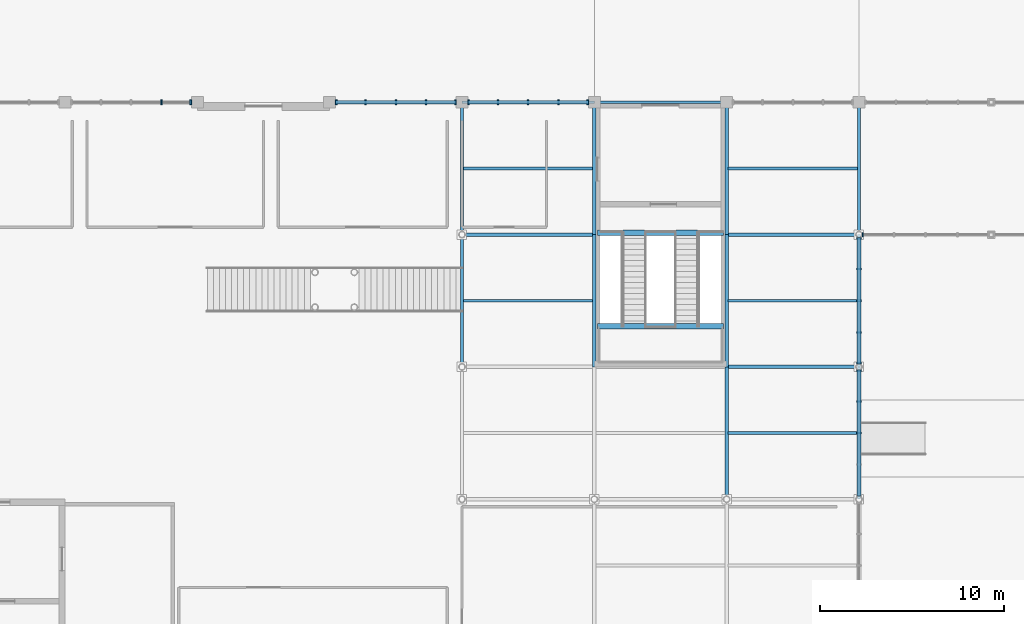
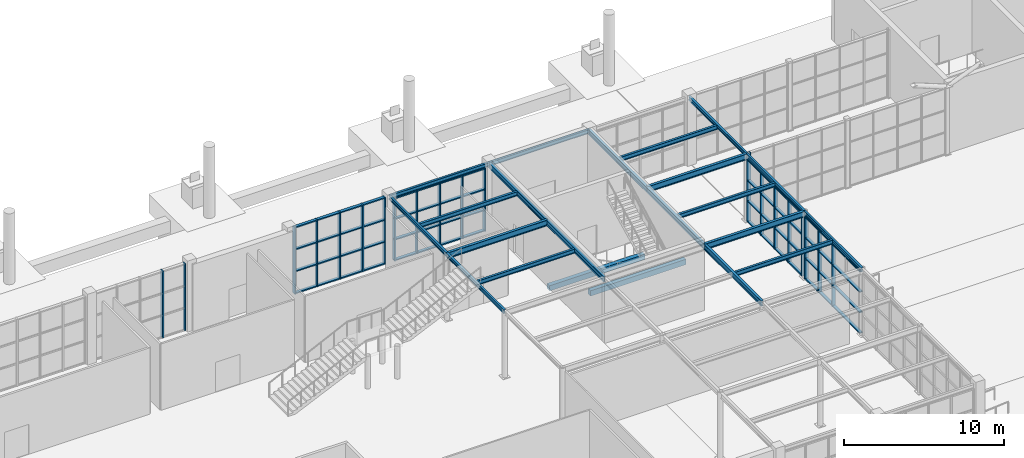
# One storey, part 26 of 75: 37 members, 22 beams, 6 elements without a shape of their own.
"""IFC4 building model written with IfcOpenShell, lengths in metres."""

from ifc_helpers import new_model, si_unit, direction, frame, origin, origin_2d, place, context, subcontext, project, spatial, rectangle, i_section, extrude, material, material_profile, profile_set, type_object, element, aggregate, save


model = new_model("IFC4")

# Units and contexts
model_context = context("Model", 3, precision=1e-05, world=origin(), true_north=direction((0.0, 1.0)))
body_context = subcontext(model_context, "Body", "Model", "MODEL_VIEW")
ifc_project = project(units=[si_unit("LENGTHUNIT", "METRE"), si_unit("AREAUNIT", "SQUARE_METRE"), si_unit("VOLUMEUNIT", "CUBIC_METRE"), si_unit("PLANEANGLEUNIT", "RADIAN"), si_unit("MASSUNIT", "GRAM", prefix="KILO")], contexts=[model_context])

# Site, building, storey
site_placement = place(None, origin())
site = spatial("IfcSite", under=ifc_project, at=site_placement, CompositionType="ELEMENT")
building_placement = place(site_placement, origin())
building = spatial("IfcBuilding", under=site, at=building_placement, Name="Leyfeld Transit Interchange", CompositionType="ELEMENT")
storey_placement = place(building_placement, origin())
storey = spatial("IfcBuildingStorey", under=building, at=storey_placement, Name="L00", CompositionType="ELEMENT", Elevation=0.0)

# Beams
ifc_material_1 = material(Name="Concrete C35/45", Category="concrete")
ifc_material_profile_1 = material_profile(ifc_material_1, rectangle(XDim=0.300048828125, YDim=0.39990234375, at=origin_2d()), Name="RC 400x300")
ifc_profile_set_1 = profile_set([ifc_material_profile_1], Name="Concrete C35/45")
beam_type_1 = type_object("IfcBeamType", Name="BM-RC-400x300", PredefinedType="LINTEL", material=ifc_profile_set_1)
for number, where, z_axis, x_axis, name in (
    (1, (86.56005859375, 43.300048828125, -0.199951171875), (1.0, 0.0, 0.0), (0.0, 1.0, 0.0), "Core K7 Floor Landing Corbel L00"),
    (2, (86.56005859375, 38.199951171875, 2.5), (1.0, 0.0, 0.0), (0.0, 1.0, 0.0), "Stair ST-07 L00 Half-Landing Corbel"),
):
    element("IfcBeam", number, at=place(storey_placement, frame(where, z_axis=z_axis, x_axis=x_axis)), inside=storey, type_object=beam_type_1, Name=name, PredefinedType="LINTEL", context=body_context, shape_type="SweptSolid", body=[
        extrude(rectangle(XDim=0.300048828125, YDim=0.39990234375, at=origin_2d()), origin(), (0.0, 0.0, 1.0), 6.8798828125),
    ])
ifc_material_2 = material(Name="Steel S355J2", Category="steel")
ifc_material_profile_2 = material_profile(ifc_material_2, i_section(OverallWidth=0.14990234375, OverallDepth=0.300048828125, WebThickness=0.007080078125, FlangeThickness=0.0107421875, FilletRadius=0.014892578125, at=origin_2d()), Name="IPE 300")
ifc_profile_set_2 = profile_set([ifc_material_profile_2], Name="Steel S355J2")
beam_type_2 = type_object("IfcBeamType", Name="BM-STL-IPE300", PredefinedType="SPANDREL", material=ifc_profile_set_2)
for number, where, z_axis, x_axis, name in (
    (3, (79.199951171875, 36.0, 4.949951171875), (0.0, 1.0, 0.0), (-1.0, 0.0, 0.0), "Beam BM-L00-0792_0360-0792_0432"),
    (4, (79.199951171875, 43.199951171875, 4.949951171875), (0.0, 1.0, 0.0), (-1.0, 0.0, 0.0), "Beam BM-L00-0792_0432-0792_0504"),
    (5, (100.800048828125, 28.800048828125, 4.949951171875), (0.0, 1.0, 0.0), (-1.0, 0.0, 0.0), "Beam BM-L00-1008_0288-1008_0360"),
    (6, (100.800048828125, 36.0, 4.949951171875), (0.0, 1.0, 0.0), (-1.0, 0.0, 0.0), "Beam BM-L00-1008_0360-1008_0432"),
    (7, (100.800048828125, 43.199951171875, 4.949951171875), (0.0, 1.0, 0.0), (-1.0, 0.0, 0.0), "Beam BM-L00-1008_0432-1008_0504"),
    (8, (79.199951171875, 50.39990234375, 4.949951171875), (1.0, 0.0, 0.0), (0.0, 1.0, 0.0), "Beam BM-L00-0792_0504-0864_0504"),
):
    element("IfcBeam", number, at=place(storey_placement, frame(where, z_axis=z_axis, x_axis=x_axis)), inside=storey, type_object=beam_type_2, Name=name, PredefinedType="SPANDREL", context=body_context, shape_type="SweptSolid", body=[
        extrude(i_section(OverallWidth=0.14990234375, OverallDepth=0.300048828125, WebThickness=0.007080078125, FlangeThickness=0.0107421875, FilletRadius=0.014892578125, at=origin_2d()), origin(), (0.0, 0.0, 1.0), 7.199951171875),
    ])
beam_placement = place(storey_placement, frame((86.39990234375, 50.39990234375, 4.949951171875), z_axis=(1.0, 0.0, 0.0), x_axis=(0.0, 1.0, 0.0)))
element("IfcBeam", 9, at=beam_placement, inside=storey, type_object=beam_type_2, Name="Beam BM-L00-0864_0504-0936_0504", PredefinedType="SPANDREL", context=body_context, shape_type="SweptSolid", body=[
    extrude(i_section(OverallWidth=0.14990234375, OverallDepth=0.300048828125, WebThickness=0.007080078125, FlangeThickness=0.0107421875, FilletRadius=0.014892578125, at=origin_2d()), origin(), (0.0, 0.0, 1.0), 7.2001953125),
])
ifc_material_profile_3 = material_profile(ifc_material_2, i_section(OverallWidth=0.159912109375, OverallDepth=0.330078125, WebThickness=0.007568359375, FlangeThickness=0.011474609375, FilletRadius=0.01806640625, at=origin_2d()), Name="IPE 330")
ifc_profile_set_3 = profile_set([ifc_material_profile_3], Name="Steel S355J2")
beam_type_3 = type_object("IfcBeamType", Name="BM-STL-IPE330", PredefinedType="BEAM", material=ifc_profile_set_3)
for number, where, z_axis, x_axis, name in (
    (10, (93.68701171875, 32.39990234375, 4.93505859375), (1.0, 0.0, 0.0), (0.0, 1.0, 0.0), "Beam BM-L00-0937_0324-1007_0324"),
    (11, (79.27197265625, 39.60009765625, 4.93505859375), (1.0, 0.0, 0.0), (0.0, 1.0, 0.0), "Beam BM-L00-0793_0396-0863_0396"),
    (12, (93.68701171875, 39.60009765625, 4.93505859375), (1.0, 0.0, 0.0), (0.0, 1.0, 0.0), "Beam BM-L00-0937_0396-1007_0396"),
    (13, (79.27197265625, 46.800048828125, 4.93505859375), (1.0, 0.0, 0.0), (0.0, 1.0, 0.0), "Beam BM-L00-0793_0468-0863_0468"),
    (14, (93.68701171875, 46.800048828125, 4.93505859375), (1.0, 0.0, 0.0), (0.0, 1.0, 0.0), "Beam BM-L00-0937_0468-1007_0468"),
):
    element("IfcBeam", number, at=place(storey_placement, frame(where, z_axis=z_axis, x_axis=x_axis)), inside=storey, type_object=beam_type_3, Name=name, PredefinedType="BEAM", context=body_context, shape_type="SweptSolid", body=[
        extrude(i_section(OverallWidth=0.159912109375, OverallDepth=0.330078125, WebThickness=0.007568359375, FlangeThickness=0.011474609375, FilletRadius=0.01806640625, at=origin_2d()), origin(), (0.0, 0.0, 1.0), 7.041015625),
    ])
ifc_material_profile_4 = material_profile(ifc_material_2, i_section(OverallWidth=0.179931640625, OverallDepth=0.39990234375, WebThickness=0.008544921875, FlangeThickness=0.013427734375, FilletRadius=0.02099609375, at=origin_2d()), Name="IPE 400")
ifc_profile_set_4 = profile_set([ifc_material_profile_4], Name="Steel S355J2")
beam_type_4 = type_object("IfcBeamType", Name="BM-STL-IPE400", PredefinedType="BEAM", material=ifc_profile_set_4)
for number, where, z_axis, x_axis, name in (
    (15, (86.39990234375, 36.0, 4.89990234375), (0.0, 1.0, 0.0), (-1.0, 0.0, 0.0), "Beam BM-L00-0864_0360-0864_0432"),
    (16, (86.39990234375, 43.199951171875, 4.89990234375), (0.0, 1.0, 0.0), (-1.0, 0.0, 0.0), "Beam BM-L00-0864_0432-0864_0504"),
    (17, (93.60009765625, 28.800048828125, 4.89990234375), (0.0, 1.0, 0.0), (-1.0, 0.0, 0.0), "Beam BM-L00-0936_0288-0936_0360"),
    (18, (93.60009765625, 36.0, 4.89990234375), (0.0, 1.0, 0.0), (-1.0, 0.0, 0.0), "Beam BM-L00-0936_0360-0936_0432"),
    (19, (93.60009765625, 43.199951171875, 4.89990234375), (0.0, 1.0, 0.0), (-1.0, 0.0, 0.0), "Beam BM-L00-0936_0432-0936_0504"),
):
    element("IfcBeam", number, at=place(storey_placement, frame(where, z_axis=z_axis, x_axis=x_axis)), inside=storey, type_object=beam_type_4, Name=name, PredefinedType="BEAM", context=body_context, shape_type="SweptSolid", body=[
        extrude(i_section(OverallWidth=0.179931640625, OverallDepth=0.39990234375, WebThickness=0.008544921875, FlangeThickness=0.013427734375, FilletRadius=0.02099609375, at=origin_2d()), origin(), (0.0, 0.0, 1.0), 7.199951171875),
    ])
ifc_material_profile_5 = material_profile(ifc_material_2, i_section(OverallWidth=0.18994140625, OverallDepth=0.449951171875, WebThickness=0.009521484375, FlangeThickness=0.0146484375, FilletRadius=0.02099609375, at=origin_2d()), Name="IPE 450")
ifc_profile_set_5 = profile_set([ifc_material_profile_5], Name="Steel S355J2")
beam_type_5 = type_object("IfcBeamType", Name="BM-STL-IPE450", PredefinedType="BEAM", material=ifc_profile_set_5)
for number, where, z_axis, x_axis, name in (
    (20, (93.60009765625, 36.0, 4.875), (1.0, 0.0, 0.0), (0.0, 1.0, 0.0), "Beam BM-L00-0936_0360-1008_0360"),
    (21, (79.199951171875, 43.199951171875, 4.875), (1.0, 0.0, 0.0), (0.0, 1.0, 0.0), "Beam BM-L00-0792_0432-0864_0432"),
    (22, (93.60009765625, 43.199951171875, 4.875), (1.0, 0.0, 0.0), (0.0, 1.0, 0.0), "Beam BM-L00-0936_0432-1008_0432"),
):
    element("IfcBeam", number, at=place(storey_placement, frame(where, z_axis=z_axis, x_axis=x_axis)), inside=storey, type_object=beam_type_5, Name=name, PredefinedType="BEAM", context=body_context, shape_type="SweptSolid", body=[
        extrude(i_section(OverallWidth=0.18994140625, OverallDepth=0.449951171875, WebThickness=0.009521484375, FlangeThickness=0.0146484375, FilletRadius=0.02099609375, at=origin_2d()), origin(), (0.0, 0.0, 1.0), 7.199951171875),
    ])

# Curtain wall, member
ifc_material_3 = material(Name="Anodised aluminium EN AW-6060 T66", Category="aluminium")
curtain_wall_type_1 = type_object("IfcCurtainWallType", Name="CW-SYS-PAS-7200", PredefinedType="NOTDEFINED", material=ifc_material_3)
curtain_wall_1_placement = place(storey_placement, origin())
curtain_wall_1 = element("IfcCurtainWall", 23, at=curtain_wall_1_placement, inside=storey, type_object=curtain_wall_type_1, Name="Curtain Wall CW-L00-027", PredefinedType="NOTDEFINED")
ifc_material_profile_6 = material_profile(ifc_material_3, rectangle(XDim=0.074951171875, YDim=0.219970703125, at=origin_2d()), Name="CW-M 75x220")
ifc_profile_set_6 = profile_set([ifc_material_profile_6], Name="Anodised aluminium EN AW-6060 T66")
member_type_1 = type_object("IfcMemberType", Name="CW-MUL-180x70", PredefinedType="MULLION", material=ifc_profile_set_6)
member_1_placement = place(storey_placement, frame((101.00537109375, 43.199951171875, 0.0), z_axis=(0.0, 0.0, 1.0), x_axis=(-1.0, 0.0, 0.0)))
member_1 = element("IfcMember", 24, at=member_1_placement, type_object=member_type_1, Name="Curtain Mullion CW-L00-027-M05", PredefinedType="MULLION", context=body_context, shape_type="SweptSolid", body=[
    extrude(rectangle(XDim=0.074951171875, YDim=0.219970703125, at=origin_2d()), origin(), (0.0, 0.0, 1.0), 5.10009765625),
])
aggregate(curtain_wall_1, [member_1])

# Curtain wall, members
curtain_wall_type_2 = type_object("IfcCurtainWallType", Name="CW-SYS-ARC-7200", PredefinedType="NOTDEFINED", material=ifc_material_3)
curtain_wall_2_placement = place(storey_placement, origin())
curtain_wall_2 = element("IfcCurtainWall", 25, at=curtain_wall_2_placement, inside=storey, type_object=curtain_wall_type_2, Name="Curtain Wall CW-L00-016", PredefinedType="NOTDEFINED")
ifc_material_profile_7 = material_profile(ifc_material_3, rectangle(XDim=0.0849609375, YDim=0.260009765625, at=origin_2d()), Name="CW-M 85x260")
ifc_profile_set_7 = profile_set([ifc_material_profile_7], Name="Anodised aluminium EN AW-6060 T66")
member_type_2 = type_object("IfcMemberType", Name="CW-MUL-220x80", PredefinedType="MULLION", material=ifc_profile_set_7)
member_2_placement = place(storey_placement, frame((62.842529296875, 50.39990234375, 0.0), z_axis=(0.0, 0.0, 1.0), x_axis=(1.0, 0.0, 0.0)))
member_2 = element("IfcMember", 26, at=member_2_placement, type_object=member_type_2, Name="Curtain Mullion CW-L00-016-M04", PredefinedType="MULLION", context=body_context, shape_type="SweptSolid", body=[
    extrude(rectangle(XDim=0.0849609375, YDim=0.260009765625, at=origin_2d()), origin(), (0.0, 0.0, 1.0), 5.10009765625),
])
member_3_placement = place(storey_placement, frame((64.4423828125, 50.39990234375, 0.0), z_axis=(0.0, 0.0, 1.0), x_axis=(1.0, 0.0, 0.0)))
member_3 = element("IfcMember", 27, at=member_3_placement, type_object=member_type_2, Name="Curtain Mullion CW-L00-016-M05", PredefinedType="MULLION", context=body_context, shape_type="SweptSolid", body=[
    extrude(rectangle(XDim=0.0849609375, YDim=0.260009765625, at=origin_2d()), origin(), (0.0, 0.0, 1.0), 5.10009765625),
])
aggregate(curtain_wall_2, [member_2, member_3])

curtain_wall_3_placement = place(storey_placement, origin())
curtain_wall_3 = element("IfcCurtainWall", 28, at=curtain_wall_3_placement, inside=storey, type_object=curtain_wall_type_2, Name="Curtain Wall CW-L00-017", PredefinedType="NOTDEFINED")
member_4_placement = place(storey_placement, frame((72.357421875, 50.39990234375, 0.0), z_axis=(0.0, 0.0, 1.0), x_axis=(1.0, 0.0, 0.0)))
member_4 = element("IfcMember", 29, at=member_4_placement, type_object=member_type_2, Name="Curtain Mullion CW-L00-017-M01", PredefinedType="MULLION", context=body_context, shape_type="SweptSolid", body=[
    extrude(rectangle(XDim=0.0849609375, YDim=0.260009765625, at=origin_2d()), origin(), (0.0, 0.0, 1.0), 5.10009765625),
])
member_5_placement = place(storey_placement, frame((73.95751953125, 50.39990234375, 0.0), z_axis=(0.0, 0.0, 1.0), x_axis=(1.0, 0.0, 0.0)))
member_5 = element("IfcMember", 30, at=member_5_placement, type_object=member_type_2, Name="Curtain Mullion CW-L00-017-M02", PredefinedType="MULLION", context=body_context, shape_type="SweptSolid", body=[
    extrude(rectangle(XDim=0.0849609375, YDim=0.260009765625, at=origin_2d()), origin(), (0.0, 0.0, 1.0), 5.10009765625),
])
member_6_placement = place(storey_placement, frame((75.60009765625, 50.39990234375, 0.0), z_axis=(0.0, 0.0, 1.0), x_axis=(1.0, 0.0, 0.0)))
member_6 = element("IfcMember", 31, at=member_6_placement, type_object=member_type_2, Name="Curtain Mullion CW-L00-017-M03", PredefinedType="MULLION", context=body_context, shape_type="SweptSolid", body=[
    extrude(rectangle(XDim=0.0849609375, YDim=0.260009765625, at=origin_2d()), origin(), (0.0, 0.0, 1.0), 5.10009765625),
])
member_7_placement = place(storey_placement, frame((77.242431640625, 50.39990234375, 0.0), z_axis=(0.0, 0.0, 1.0), x_axis=(1.0, 0.0, 0.0)))
member_7 = element("IfcMember", 32, at=member_7_placement, type_object=member_type_2, Name="Curtain Mullion CW-L00-017-M04", PredefinedType="MULLION", context=body_context, shape_type="SweptSolid", body=[
    extrude(rectangle(XDim=0.0849609375, YDim=0.260009765625, at=origin_2d()), origin(), (0.0, 0.0, 1.0), 5.10009765625),
])
member_8_placement = place(storey_placement, frame((78.842529296875, 50.39990234375, 0.0), z_axis=(0.0, 0.0, 1.0), x_axis=(1.0, 0.0, 0.0)))
member_8 = element("IfcMember", 33, at=member_8_placement, type_object=member_type_2, Name="Curtain Mullion CW-L00-017-M05", PredefinedType="MULLION", context=body_context, shape_type="SweptSolid", body=[
    extrude(rectangle(XDim=0.0849609375, YDim=0.260009765625, at=origin_2d()), origin(), (0.0, 0.0, 1.0), 5.10009765625),
])

curtain_wall_4_placement = place(storey_placement, origin())
curtain_wall_4 = element("IfcCurtainWall", 34, at=curtain_wall_4_placement, inside=storey, type_object=curtain_wall_type_2, Name="Curtain Wall CW-L00-018", PredefinedType="NOTDEFINED")
member_9_placement = place(storey_placement, frame((79.5576171875, 50.39990234375, 0.0), z_axis=(0.0, 0.0, 1.0), x_axis=(1.0, 0.0, 0.0)))
member_9 = element("IfcMember", 35, at=member_9_placement, type_object=member_type_2, Name="Curtain Mullion CW-L00-018-M01", PredefinedType="MULLION", context=body_context, shape_type="SweptSolid", body=[
    extrude(rectangle(XDim=0.0849609375, YDim=0.260009765625, at=origin_2d()), origin(), (0.0, 0.0, 1.0), 4.800048828125),
])
member_10_placement = place(storey_placement, frame((81.157470703125, 50.39990234375, 0.0), z_axis=(0.0, 0.0, 1.0), x_axis=(1.0, 0.0, 0.0)))
member_10 = element("IfcMember", 36, at=member_10_placement, type_object=member_type_2, Name="Curtain Mullion CW-L00-018-M02", PredefinedType="MULLION", context=body_context, shape_type="SweptSolid", body=[
    extrude(rectangle(XDim=0.0849609375, YDim=0.260009765625, at=origin_2d()), origin(), (0.0, 0.0, 1.0), 4.800048828125),
])
member_11_placement = place(storey_placement, frame((82.800048828125, 50.39990234375, 0.0), z_axis=(0.0, 0.0, 1.0), x_axis=(1.0, 0.0, 0.0)))
member_11 = element("IfcMember", 37, at=member_11_placement, type_object=member_type_2, Name="Curtain Mullion CW-L00-018-M03", PredefinedType="MULLION", context=body_context, shape_type="SweptSolid", body=[
    extrude(rectangle(XDim=0.0849609375, YDim=0.260009765625, at=origin_2d()), origin(), (0.0, 0.0, 1.0), 4.800048828125),
])
member_12_placement = place(storey_placement, frame((84.4423828125, 50.39990234375, 0.0), z_axis=(0.0, 0.0, 1.0), x_axis=(1.0, 0.0, 0.0)))
member_12 = element("IfcMember", 38, at=member_12_placement, type_object=member_type_2, Name="Curtain Mullion CW-L00-018-M04", PredefinedType="MULLION", context=body_context, shape_type="SweptSolid", body=[
    extrude(rectangle(XDim=0.0849609375, YDim=0.260009765625, at=origin_2d()), origin(), (0.0, 0.0, 1.0), 4.800048828125),
])
member_13_placement = place(storey_placement, frame((86.04248046875, 50.39990234375, 0.0), z_axis=(0.0, 0.0, 1.0), x_axis=(1.0, 0.0, 0.0)))
member_13 = element("IfcMember", 39, at=member_13_placement, type_object=member_type_2, Name="Curtain Mullion CW-L00-018-M05", PredefinedType="MULLION", context=body_context, shape_type="SweptSolid", body=[
    extrude(rectangle(XDim=0.0849609375, YDim=0.260009765625, at=origin_2d()), origin(), (0.0, 0.0, 1.0), 4.800048828125),
])

curtain_wall_5_placement = place(storey_placement, origin())
curtain_wall_5 = element("IfcCurtainWall", 40, at=curtain_wall_5_placement, inside=storey, type_object=curtain_wall_type_2, Name="Curtain Wall CW-L00-028", PredefinedType="NOTDEFINED")
member_14_placement = place(storey_placement, frame((100.800048828125, 42.98974609375, 0.0), z_axis=(0.0, 0.0, 1.0), x_axis=(0.0, -1.0, 0.0)))
member_14 = element("IfcMember", 41, at=member_14_placement, type_object=member_type_2, Name="Curtain Mullion CW-L00-028-M01", PredefinedType="MULLION", context=body_context, shape_type="SweptSolid", body=[
    extrude(rectangle(XDim=0.0849609375, YDim=0.260009765625, at=origin_2d()), origin(), (0.0, 0.0, 1.0), 4.77001953125),
])
member_15_placement = place(storey_placement, frame((100.800048828125, 41.316162109375, 0.0), z_axis=(0.0, 0.0, 1.0), x_axis=(0.0, -1.0, 0.0)))
member_15 = element("IfcMember", 42, at=member_15_placement, type_object=member_type_2, Name="Curtain Mullion CW-L00-028-M02", PredefinedType="MULLION", context=body_context, shape_type="SweptSolid", body=[
    extrude(rectangle(XDim=0.0849609375, YDim=0.260009765625, at=origin_2d()), origin(), (0.0, 0.0, 1.0), 4.77001953125),
])
member_16_placement = place(storey_placement, frame((100.800048828125, 39.60009765625, 0.0), z_axis=(0.0, 0.0, 1.0), x_axis=(0.0, -1.0, 0.0)))
member_16 = element("IfcMember", 43, at=member_16_placement, type_object=member_type_2, Name="Curtain Mullion CW-L00-028-M03", PredefinedType="MULLION", context=body_context, shape_type="SweptSolid", body=[
    extrude(rectangle(XDim=0.0849609375, YDim=0.260009765625, at=origin_2d()), origin(), (0.0, 0.0, 1.0), 4.77001953125),
])
member_17_placement = place(storey_placement, frame((100.800048828125, 37.8837890625, 0.0), z_axis=(0.0, 0.0, 1.0), x_axis=(0.0, -1.0, 0.0)))
member_17 = element("IfcMember", 44, at=member_17_placement, type_object=member_type_2, Name="Curtain Mullion CW-L00-028-M04", PredefinedType="MULLION", context=body_context, shape_type="SweptSolid", body=[
    extrude(rectangle(XDim=0.0849609375, YDim=0.260009765625, at=origin_2d()), origin(), (0.0, 0.0, 1.0), 4.77001953125),
])
member_18_placement = place(storey_placement, frame((100.800048828125, 36.210205078125, 0.0), z_axis=(0.0, 0.0, 1.0), x_axis=(0.0, -1.0, 0.0)))
member_18 = element("IfcMember", 45, at=member_18_placement, type_object=member_type_2, Name="Curtain Mullion CW-L00-028-M05", PredefinedType="MULLION", context=body_context, shape_type="SweptSolid", body=[
    extrude(rectangle(XDim=0.0849609375, YDim=0.260009765625, at=origin_2d()), origin(), (0.0, 0.0, 1.0), 4.77001953125),
])

curtain_wall_6_placement = place(storey_placement, origin())
curtain_wall_6 = element("IfcCurtainWall", 46, at=curtain_wall_6_placement, inside=storey, type_object=curtain_wall_type_2, Name="Curtain Wall CW-L00-029", PredefinedType="NOTDEFINED")
member_19_placement = place(storey_placement, frame((100.800048828125, 35.789794921875, 0.0), z_axis=(0.0, 0.0, 1.0), x_axis=(0.0, -1.0, 0.0)))
member_19 = element("IfcMember", 47, at=member_19_placement, type_object=member_type_2, Name="Curtain Mullion CW-L00-029-M01", PredefinedType="MULLION", context=body_context, shape_type="SweptSolid", body=[
    extrude(rectangle(XDim=0.0849609375, YDim=0.260009765625, at=origin_2d()), origin(), (0.0, 0.0, 1.0), 4.77001953125),
])
member_20_placement = place(storey_placement, frame((100.800048828125, 34.1162109375, 0.0), z_axis=(0.0, 0.0, 1.0), x_axis=(0.0, -1.0, 0.0)))
member_20 = element("IfcMember", 48, at=member_20_placement, type_object=member_type_2, Name="Curtain Mullion CW-L00-029-M02", PredefinedType="MULLION", context=body_context, shape_type="SweptSolid", body=[
    extrude(rectangle(XDim=0.0849609375, YDim=0.260009765625, at=origin_2d()), origin(), (0.0, 0.0, 1.0), 4.77001953125),
])
member_21_placement = place(storey_placement, frame((100.800048828125, 32.39990234375, 0.0), z_axis=(0.0, 0.0, 1.0), x_axis=(0.0, -1.0, 0.0)))
member_21 = element("IfcMember", 49, at=member_21_placement, type_object=member_type_2, Name="Curtain Mullion CW-L00-029-M03", PredefinedType="MULLION", context=body_context, shape_type="SweptSolid", body=[
    extrude(rectangle(XDim=0.0849609375, YDim=0.260009765625, at=origin_2d()), origin(), (0.0, 0.0, 1.0), 4.77001953125),
])

# Member
ifc_material_profile_8 = material_profile(ifc_material_3, rectangle(XDim=0.2099609375, YDim=0.0849609375, at=origin_2d()), Name="CW-TRN-200x80")
ifc_profile_set_8 = profile_set([ifc_material_profile_8], Name="Anodised aluminium EN AW-6060 T66")
member_type_3 = type_object("IfcMemberType", Name="CW-TRN-200x80", PredefinedType="USERDEFINED", material=ifc_profile_set_8)
member_22_placement = place(storey_placement, frame((72.31494140625, 50.39990234375, 0.04248046875), z_axis=(1.0, 0.0, 0.0), x_axis=(0.0, 1.0, 0.0)))
member_22 = element("IfcMember", 50, at=member_22_placement, type_object=member_type_3, Name="Curtain Transom CW-L00-017-T01", ObjectType="TRANSOM", PredefinedType="USERDEFINED", context=body_context, shape_type="SweptSolid", body=[
    extrude(rectangle(XDim=0.2099609375, YDim=0.0849609375, at=origin_2d()), origin(), (0.0, 0.0, 1.0), 6.570068359375),
])

member_23_placement = place(storey_placement, frame((72.31494140625, 50.39990234375, 1.714111328125), z_axis=(1.0, 0.0, 0.0), x_axis=(0.0, 1.0, 0.0)))
member_23 = element("IfcMember", 51, at=member_23_placement, type_object=member_type_3, Name="Curtain Transom CW-L00-017-T02", ObjectType="TRANSOM", PredefinedType="USERDEFINED", context=body_context, shape_type="SweptSolid", body=[
    extrude(rectangle(XDim=0.2099609375, YDim=0.0849609375, at=origin_2d()), origin(), (0.0, 0.0, 1.0), 6.570068359375),
])

member_24_placement = place(storey_placement, frame((72.31494140625, 50.39990234375, 3.3857421875), z_axis=(1.0, 0.0, 0.0), x_axis=(0.0, 1.0, 0.0)))
member_24 = element("IfcMember", 52, at=member_24_placement, type_object=member_type_3, Name="Curtain Transom CW-L00-017-T03", ObjectType="TRANSOM", PredefinedType="USERDEFINED", context=body_context, shape_type="SweptSolid", body=[
    extrude(rectangle(XDim=0.2099609375, YDim=0.0849609375, at=origin_2d()), origin(), (0.0, 0.0, 1.0), 6.570068359375),
])

member_25_placement = place(storey_placement, frame((72.31494140625, 50.39990234375, 5.0576171875), z_axis=(1.0, 0.0, 0.0), x_axis=(0.0, 1.0, 0.0)))
member_25 = element("IfcMember", 53, at=member_25_placement, type_object=member_type_3, Name="Curtain Transom CW-L00-017-T04", ObjectType="TRANSOM", PredefinedType="USERDEFINED", context=body_context, shape_type="SweptSolid", body=[
    extrude(rectangle(XDim=0.2099609375, YDim=0.0849609375, at=origin_2d()), origin(), (0.0, 0.0, 1.0), 6.570068359375),
])

aggregate(curtain_wall_3, [member_4, member_5, member_6, member_7, member_8, member_22, member_23, member_24, member_25])

member_26_placement = place(storey_placement, frame((79.514892578125, 50.39990234375, 0.04248046875), z_axis=(1.0, 0.0, 0.0), x_axis=(0.0, 1.0, 0.0)))
member_26 = element("IfcMember", 54, at=member_26_placement, type_object=member_type_3, Name="Curtain Transom CW-L00-018-T01", ObjectType="TRANSOM", PredefinedType="USERDEFINED", context=body_context, shape_type="SweptSolid", body=[
    extrude(rectangle(XDim=0.2099609375, YDim=0.0849609375, at=origin_2d()), origin(), (0.0, 0.0, 1.0), 6.570068359375),
])

member_27_placement = place(storey_placement, frame((79.514892578125, 50.39990234375, 1.6142578125), z_axis=(1.0, 0.0, 0.0), x_axis=(0.0, 1.0, 0.0)))
member_27 = element("IfcMember", 55, at=member_27_placement, type_object=member_type_3, Name="Curtain Transom CW-L00-018-T02", ObjectType="TRANSOM", PredefinedType="USERDEFINED", context=body_context, shape_type="SweptSolid", body=[
    extrude(rectangle(XDim=0.2099609375, YDim=0.0849609375, at=origin_2d()), origin(), (0.0, 0.0, 1.0), 6.570068359375),
])

member_28_placement = place(storey_placement, frame((79.514892578125, 50.39990234375, 3.185791015625), z_axis=(1.0, 0.0, 0.0), x_axis=(0.0, 1.0, 0.0)))
member_28 = element("IfcMember", 56, at=member_28_placement, type_object=member_type_3, Name="Curtain Transom CW-L00-018-T03", ObjectType="TRANSOM", PredefinedType="USERDEFINED", context=body_context, shape_type="SweptSolid", body=[
    extrude(rectangle(XDim=0.2099609375, YDim=0.0849609375, at=origin_2d()), origin(), (0.0, 0.0, 1.0), 6.570068359375),
])

member_29_placement = place(storey_placement, frame((79.514892578125, 50.39990234375, 4.757568359375), z_axis=(1.0, 0.0, 0.0), x_axis=(0.0, 1.0, 0.0)))
member_29 = element("IfcMember", 57, at=member_29_placement, type_object=member_type_3, Name="Curtain Transom CW-L00-018-T04", ObjectType="TRANSOM", PredefinedType="USERDEFINED", context=body_context, shape_type="SweptSolid", body=[
    extrude(rectangle(XDim=0.2099609375, YDim=0.0849609375, at=origin_2d()), origin(), (0.0, 0.0, 1.0), 6.570068359375),
])

aggregate(curtain_wall_4, [member_9, member_10, member_11, member_12, member_13, member_26, member_27, member_28, member_29])

member_30_placement = place(storey_placement, frame((100.800048828125, 43.0322265625, 0.04248046875), z_axis=(0.0, -1.0, 0.0), x_axis=(1.0, 0.0, 0.0)))
member_30 = element("IfcMember", 58, at=member_30_placement, type_object=member_type_3, Name="Curtain Transom CW-L00-028-T01", ObjectType="TRANSOM", PredefinedType="USERDEFINED", context=body_context, shape_type="SweptSolid", body=[
    extrude(rectangle(XDim=0.2099609375, YDim=0.0849609375, at=origin_2d()), origin(), (0.0, 0.0, 1.0), 6.864501953125),
])

member_31_placement = place(storey_placement, frame((100.800048828125, 43.0322265625, 1.604248046875), z_axis=(0.0, -1.0, 0.0), x_axis=(1.0, 0.0, 0.0)))
member_31 = element("IfcMember", 59, at=member_31_placement, type_object=member_type_3, Name="Curtain Transom CW-L00-028-T02", ObjectType="TRANSOM", PredefinedType="USERDEFINED", context=body_context, shape_type="SweptSolid", body=[
    extrude(rectangle(XDim=0.2099609375, YDim=0.0849609375, at=origin_2d()), origin(), (0.0, 0.0, 1.0), 6.864501953125),
])

member_32_placement = place(storey_placement, frame((100.800048828125, 43.0322265625, 3.165771484375), z_axis=(0.0, -1.0, 0.0), x_axis=(1.0, 0.0, 0.0)))
member_32 = element("IfcMember", 60, at=member_32_placement, type_object=member_type_3, Name="Curtain Transom CW-L00-028-T03", ObjectType="TRANSOM", PredefinedType="USERDEFINED", context=body_context, shape_type="SweptSolid", body=[
    extrude(rectangle(XDim=0.2099609375, YDim=0.0849609375, at=origin_2d()), origin(), (0.0, 0.0, 1.0), 6.864501953125),
])

member_33_placement = place(storey_placement, frame((100.800048828125, 43.0322265625, 4.7275390625), z_axis=(0.0, -1.0, 0.0), x_axis=(1.0, 0.0, 0.0)))
member_33 = element("IfcMember", 61, at=member_33_placement, type_object=member_type_3, Name="Curtain Transom CW-L00-028-T04", ObjectType="TRANSOM", PredefinedType="USERDEFINED", context=body_context, shape_type="SweptSolid", body=[
    extrude(rectangle(XDim=0.2099609375, YDim=0.0849609375, at=origin_2d()), origin(), (0.0, 0.0, 1.0), 6.864501953125),
])

aggregate(curtain_wall_5, [member_14, member_15, member_16, member_17, member_18, member_30, member_31, member_32, member_33])

member_34_placement = place(storey_placement, frame((100.800048828125, 35.832275390625, 0.04248046875), z_axis=(0.0, -1.0, 0.0), x_axis=(1.0, 0.0, 0.0)))
member_34 = element("IfcMember", 62, at=member_34_placement, type_object=member_type_3, Name="Curtain Transom CW-L00-029-T01", ObjectType="TRANSOM", PredefinedType="USERDEFINED", context=body_context, shape_type="SweptSolid", body=[
    extrude(rectangle(XDim=0.2099609375, YDim=0.0849609375, at=origin_2d()), origin(), (0.0, 0.0, 1.0), 6.864501953125),
])

member_35_placement = place(storey_placement, frame((100.800048828125, 35.832275390625, 1.604248046875), z_axis=(0.0, -1.0, 0.0), x_axis=(1.0, 0.0, 0.0)))
member_35 = element("IfcMember", 63, at=member_35_placement, type_object=member_type_3, Name="Curtain Transom CW-L00-029-T02", ObjectType="TRANSOM", PredefinedType="USERDEFINED", context=body_context, shape_type="SweptSolid", body=[
    extrude(rectangle(XDim=0.2099609375, YDim=0.0849609375, at=origin_2d()), origin(), (0.0, 0.0, 1.0), 6.864501953125),
])

member_36_placement = place(storey_placement, frame((100.800048828125, 35.832275390625, 3.165771484375), z_axis=(0.0, -1.0, 0.0), x_axis=(1.0, 0.0, 0.0)))
member_36 = element("IfcMember", 64, at=member_36_placement, type_object=member_type_3, Name="Curtain Transom CW-L00-029-T03", ObjectType="TRANSOM", PredefinedType="USERDEFINED", context=body_context, shape_type="SweptSolid", body=[
    extrude(rectangle(XDim=0.2099609375, YDim=0.0849609375, at=origin_2d()), origin(), (0.0, 0.0, 1.0), 6.864501953125),
])

member_37_placement = place(storey_placement, frame((100.800048828125, 35.832275390625, 4.7275390625), z_axis=(0.0, -1.0, 0.0), x_axis=(1.0, 0.0, 0.0)))
member_37 = element("IfcMember", 65, at=member_37_placement, type_object=member_type_3, Name="Curtain Transom CW-L00-029-T04", ObjectType="TRANSOM", PredefinedType="USERDEFINED", context=body_context, shape_type="SweptSolid", body=[
    extrude(rectangle(XDim=0.2099609375, YDim=0.0849609375, at=origin_2d()), origin(), (0.0, 0.0, 1.0), 6.864501953125),
])

aggregate(curtain_wall_6, [member_19, member_20, member_21, member_34, member_35, member_36, member_37])

save(model, "model.ifc")
